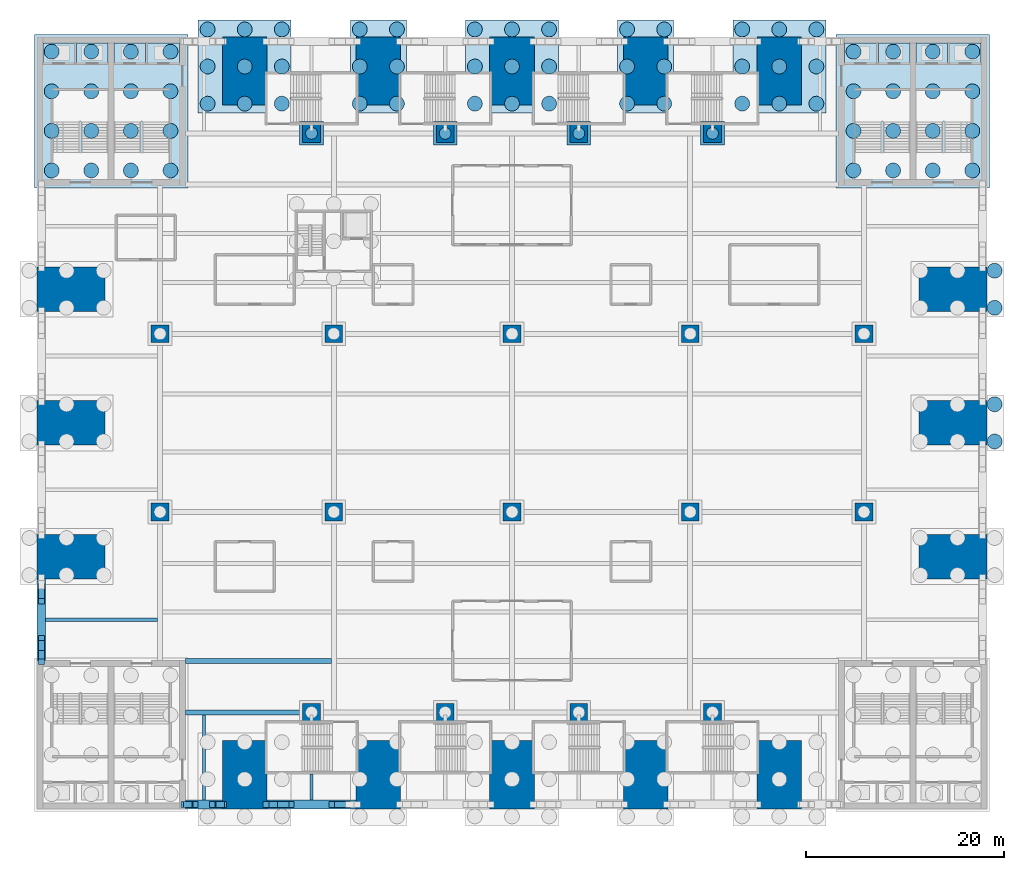
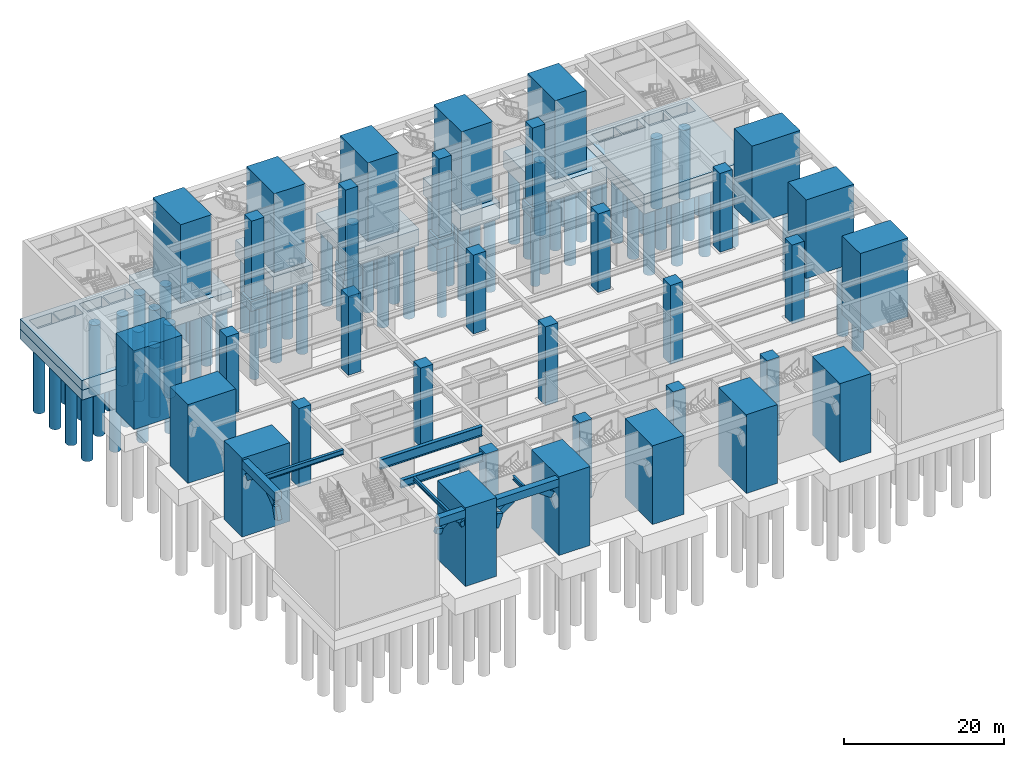
# One storey, part 2 of 34: 79 piles, 34 columns, 13 footings, 10 members, 8 beams.
"""IFC4 building model written with IfcOpenShell, lengths in metres."""

from ifc_helpers import new_model, si_unit, direction, frame, origin, origin_2d, place, context, subcontext, project, spatial, polyline, rectangle, circle, i_section, outline, extrude, material, layer, layer_set, material_profile, profile_set, type_object, element, save


model = new_model("IFC4")

# Units and contexts
model_context = context("Model", 3, precision=1e-05, world=origin(), true_north=direction((0.0, 1.0)))
body_context = subcontext(model_context, "Body", "Model", "MODEL_VIEW")
ifc_project = project(units=[si_unit("LENGTHUNIT", "METRE"), si_unit("AREAUNIT", "SQUARE_METRE"), si_unit("VOLUMEUNIT", "CUBIC_METRE"), si_unit("PLANEANGLEUNIT", "RADIAN"), si_unit("MASSUNIT", "GRAM", prefix="KILO")], contexts=[model_context])

# Site, building, storey
site_placement = place(None, origin())
site = spatial("IfcSite", under=ifc_project, at=site_placement, CompositionType="ELEMENT")
building_placement = place(site_placement, origin())
building = spatial("IfcBuilding", under=site, at=building_placement, Name="Corbelhall Arena Tower", CompositionType="ELEMENT")
storey_placement = place(building_placement, origin())
storey = spatial("IfcBuildingStorey", under=building, at=storey_placement, Name="L00", CompositionType="ELEMENT", Elevation=0.0)

# Piles
ifc_material_1 = material(Name="Concrete C40/50", Category="concrete")
ifc_material_profile_1 = material_profile(ifc_material_1, circle(Radius=0.60009765625, at=origin_2d()))
ifc_profile_set_1 = profile_set([ifc_material_profile_1], Name="Concrete C40/50")
pile_type_1 = type_object("IfcPileType", Name="PO-BORED-PILE-1200", PredefinedType="BORED", material=ifc_profile_set_1)
for number, where, z_axis, x_axis, name in (
    (1, (-20.25, 29.25, -1.35009765625), (0.0, 0.0, -1.0), (1.0, 0.0, 0.0), "CAP-S-20.25+29.25 PILE 1"),
    (2, (-6.75, 29.25, -1.35009765625), (0.0, 0.0, -1.0), (1.0, 0.0, 0.0), "CAP-S-6.75+29.25 PILE 1"),
    (3, (6.75, 29.25, -1.35009765625), (0.0, 0.0, -1.0), (1.0, 0.0, 0.0), "CAP-S+6.75+29.25 PILE 1"),
    (4, (20.25, 29.25, -1.35009765625), (0.0, 0.0, -1.0), (1.0, 0.0, 0.0), "CAP-S+20.25+29.25 PILE 1"),
):
    element("IfcPile", number, at=place(storey_placement, frame(where, z_axis=z_axis, x_axis=x_axis)), inside=storey, type_object=pile_type_1, Name=name, PredefinedType="BORED", context=body_context, shape_type="SweptSolid", body=[
        extrude(circle(Radius=0.60009765625, at=origin_2d()), origin(), (0.0, 0.0, 1.0), 11.25),
    ])
ifc_material_profile_2 = material_profile(ifc_material_1, circle(Radius=0.75, at=origin_2d()))
ifc_profile_set_2 = profile_set([ifc_material_profile_2], Name="Concrete C40/50")
pile_type_2 = type_object("IfcPileType", Name="PO-BORED-PILE-1500", PredefinedType="BORED", material=ifc_profile_set_2)
for number, where, z_axis, x_axis, name in (
    (5, (34.5, 25.5, -2.85009765625), (0.0, 0.0, -1.0), (1.0, 0.0, 0.0), "RAFT-NE PILE 1"),
    (6, (34.5, 29.5, -2.85009765625), (0.0, 0.0, -1.0), (1.0, 0.0, 0.0), "RAFT-NE PILE 2"),
    (7, (34.5, 33.5, -2.85009765625), (0.0, 0.0, -1.0), (1.0, 0.0, 0.0), "RAFT-NE PILE 3"),
    (8, (34.5, 37.5, -2.85009765625), (0.0, 0.0, -1.0), (1.0, 0.0, 0.0), "RAFT-NE PILE 4"),
    (9, (38.5, 25.5, -2.85009765625), (0.0, 0.0, -1.0), (1.0, 0.0, 0.0), "RAFT-NE PILE 5"),
    (10, (38.5, 29.5, -2.85009765625), (0.0, 0.0, -1.0), (1.0, 0.0, 0.0), "RAFT-NE PILE 6"),
    (11, (38.5, 33.5, -2.85009765625), (0.0, 0.0, -1.0), (1.0, 0.0, 0.0), "RAFT-NE PILE 7"),
    (12, (38.5, 37.5, -2.85009765625), (0.0, 0.0, -1.0), (1.0, 0.0, 0.0), "RAFT-NE PILE 8"),
    (13, (42.5, 25.5, -2.85009765625), (0.0, 0.0, -1.0), (1.0, 0.0, 0.0), "RAFT-NE PILE 9"),
    (14, (42.5, 29.5, -2.85009765625), (0.0, 0.0, -1.0), (1.0, 0.0, 0.0), "RAFT-NE PILE 10"),
    (15, (42.5, 33.5, -2.85009765625), (0.0, 0.0, -1.0), (1.0, 0.0, 0.0), "RAFT-NE PILE 11"),
    (16, (42.5, 37.5, -2.85009765625), (0.0, 0.0, -1.0), (1.0, 0.0, 0.0), "RAFT-NE PILE 12"),
    (17, (46.5, 25.5, -2.85009765625), (0.0, 0.0, -1.0), (1.0, 0.0, 0.0), "RAFT-NE PILE 13"),
    (18, (46.5, 29.5, -2.85009765625), (0.0, 0.0, -1.0), (1.0, 0.0, 0.0), "RAFT-NE PILE 14"),
    (19, (46.5, 33.5, -2.85009765625), (0.0, 0.0, -1.0), (1.0, 0.0, 0.0), "RAFT-NE PILE 15"),
    (20, (46.5, 37.5, -2.85009765625), (0.0, 0.0, -1.0), (1.0, 0.0, 0.0), "RAFT-NE PILE 16"),
    (21, (-46.5, 25.5, -2.85009765625), (0.0, 0.0, -1.0), (1.0, 0.0, 0.0), "RAFT-NW PILE 1"),
    (22, (-46.5, 29.5, -2.85009765625), (0.0, 0.0, -1.0), (1.0, 0.0, 0.0), "RAFT-NW PILE 2"),
    (23, (-46.5, 33.5, -2.85009765625), (0.0, 0.0, -1.0), (1.0, 0.0, 0.0), "RAFT-NW PILE 3"),
    (24, (-46.5, 37.5, -2.85009765625), (0.0, 0.0, -1.0), (1.0, 0.0, 0.0), "RAFT-NW PILE 4"),
    (25, (-42.5, 25.5, -2.85009765625), (0.0, 0.0, -1.0), (1.0, 0.0, 0.0), "RAFT-NW PILE 5"),
    (26, (-42.5, 29.5, -2.85009765625), (0.0, 0.0, -1.0), (1.0, 0.0, 0.0), "RAFT-NW PILE 6"),
    (27, (-42.5, 33.5, -2.85009765625), (0.0, 0.0, -1.0), (1.0, 0.0, 0.0), "RAFT-NW PILE 7"),
    (28, (-42.5, 37.5, -2.85009765625), (0.0, 0.0, -1.0), (1.0, 0.0, 0.0), "RAFT-NW PILE 8"),
    (29, (-38.5, 25.5, -2.85009765625), (0.0, 0.0, -1.0), (1.0, 0.0, 0.0), "RAFT-NW PILE 9"),
    (30, (-38.5, 29.5, -2.85009765625), (0.0, 0.0, -1.0), (1.0, 0.0, 0.0), "RAFT-NW PILE 10"),
    (31, (-38.5, 33.5, -2.85009765625), (0.0, 0.0, -1.0), (1.0, 0.0, 0.0), "RAFT-NW PILE 11"),
    (32, (-38.5, 37.5, -2.85009765625), (0.0, 0.0, -1.0), (1.0, 0.0, 0.0), "RAFT-NW PILE 12"),
    (33, (-34.5, 25.5, -2.85009765625), (0.0, 0.0, -1.0), (1.0, 0.0, 0.0), "RAFT-NW PILE 13"),
    (34, (-34.5, 29.5, -2.85009765625), (0.0, 0.0, -1.0), (1.0, 0.0, 0.0), "RAFT-NW PILE 14"),
    (35, (-34.5, 33.5, -2.85009765625), (0.0, 0.0, -1.0), (1.0, 0.0, 0.0), "RAFT-NW PILE 15"),
    (36, (-34.5, 37.5, -2.85009765625), (0.0, 0.0, -1.0), (1.0, 0.0, 0.0), "RAFT-NW PILE 16"),
):
    element("IfcPile", number, at=place(storey_placement, frame(where, z_axis=z_axis, x_axis=x_axis)), inside=storey, type_object=pile_type_2, Name=name, PredefinedType="BORED", context=body_context, shape_type="SweptSolid", body=[
        extrude(circle(Radius=0.75, at=origin_2d()), origin(), (0.0, 0.0, 1.0), 10.64990234375),
    ])
for number, where, z_axis, x_axis, name in (
    (37, (-30.75, 32.25, -2.35009765625), (0.0, 0.0, -1.0), (1.0, 0.0, 0.0), "CAP-N-27.0 PILE 1"),
    (38, (-30.75, 36.0, -2.35009765625), (0.0, 0.0, -1.0), (1.0, 0.0, 0.0), "CAP-N-27.0 PILE 2"),
    (39, (-30.75, 39.75, -2.35009765625), (0.0, 0.0, -1.0), (1.0, 0.0, 0.0), "CAP-N-27.0 PILE 3"),
    (40, (-27.0, 32.25, -2.35009765625), (0.0, 0.0, -1.0), (1.0, 0.0, 0.0), "CAP-N-27.0 PILE 4"),
    (41, (-27.0, 36.0, -2.35009765625), (0.0, 0.0, -1.0), (1.0, 0.0, 0.0), "CAP-N-27.0 PILE 5"),
    (42, (-27.0, 39.75, -2.35009765625), (0.0, 0.0, -1.0), (1.0, 0.0, 0.0), "CAP-N-27.0 PILE 6"),
    (43, (-23.25, 32.25, -2.35009765625), (0.0, 0.0, -1.0), (1.0, 0.0, 0.0), "CAP-N-27.0 PILE 7"),
    (44, (-23.25, 36.0, -2.35009765625), (0.0, 0.0, -1.0), (1.0, 0.0, 0.0), "CAP-N-27.0 PILE 8"),
    (45, (-23.25, 39.75, -2.35009765625), (0.0, 0.0, -1.0), (1.0, 0.0, 0.0), "CAP-N-27.0 PILE 9"),
    (46, (-15.375, 32.25, -2.35009765625), (0.0, 0.0, -1.0), (1.0, 0.0, 0.0), "CAP-N-13.5 PILE 1"),
    (47, (-15.375, 36.0, -2.35009765625), (0.0, 0.0, -1.0), (1.0, 0.0, 0.0), "CAP-N-13.5 PILE 2"),
    (48, (-15.375, 39.75, -2.35009765625), (0.0, 0.0, -1.0), (1.0, 0.0, 0.0), "CAP-N-13.5 PILE 3"),
    (49, (-11.625, 32.25, -2.35009765625), (0.0, 0.0, -1.0), (1.0, 0.0, 0.0), "CAP-N-13.5 PILE 4"),
    (50, (-11.625, 36.0, -2.35009765625), (0.0, 0.0, -1.0), (1.0, 0.0, 0.0), "CAP-N-13.5 PILE 5"),
    (51, (-11.625, 39.75, -2.35009765625), (0.0, 0.0, -1.0), (1.0, 0.0, 0.0), "CAP-N-13.5 PILE 6"),
    (52, (-3.75, 32.25, -2.35009765625), (0.0, 0.0, -1.0), (1.0, 0.0, 0.0), "CAP-N+0.0 PILE 1"),
    (53, (-3.75, 36.0, -2.35009765625), (0.0, 0.0, -1.0), (1.0, 0.0, 0.0), "CAP-N+0.0 PILE 2"),
    (54, (-3.75, 39.75, -2.35009765625), (0.0, 0.0, -1.0), (1.0, 0.0, 0.0), "CAP-N+0.0 PILE 3"),
    (55, (0.0, 32.25, -2.35009765625), (0.0, 0.0, -1.0), (1.0, 0.0, 0.0), "CAP-N+0.0 PILE 4"),
    (56, (0.0, 36.0, -2.35009765625), (0.0, 0.0, -1.0), (1.0, 0.0, 0.0), "CAP-N+0.0 PILE 5"),
    (57, (0.0, 39.75, -2.35009765625), (0.0, 0.0, -1.0), (1.0, 0.0, 0.0), "CAP-N+0.0 PILE 6"),
    (58, (3.75, 32.25, -2.35009765625), (0.0, 0.0, -1.0), (1.0, 0.0, 0.0), "CAP-N+0.0 PILE 7"),
    (59, (3.75, 36.0, -2.35009765625), (0.0, 0.0, -1.0), (1.0, 0.0, 0.0), "CAP-N+0.0 PILE 8"),
    (60, (3.75, 39.75, -2.35009765625), (0.0, 0.0, -1.0), (1.0, 0.0, 0.0), "CAP-N+0.0 PILE 9"),
    (61, (11.625, 32.25, -2.35009765625), (0.0, 0.0, -1.0), (1.0, 0.0, 0.0), "CAP-N+13.5 PILE 1"),
    (62, (11.625, 36.0, -2.35009765625), (0.0, 0.0, -1.0), (1.0, 0.0, 0.0), "CAP-N+13.5 PILE 2"),
    (63, (11.625, 39.75, -2.35009765625), (0.0, 0.0, -1.0), (1.0, 0.0, 0.0), "CAP-N+13.5 PILE 3"),
    (64, (15.375, 32.25, -2.35009765625), (0.0, 0.0, -1.0), (1.0, 0.0, 0.0), "CAP-N+13.5 PILE 4"),
    (65, (15.375, 36.0, -2.35009765625), (0.0, 0.0, -1.0), (1.0, 0.0, 0.0), "CAP-N+13.5 PILE 5"),
    (66, (15.375, 39.75, -2.35009765625), (0.0, 0.0, -1.0), (1.0, 0.0, 0.0), "CAP-N+13.5 PILE 6"),
    (67, (23.25, 32.25, -2.35009765625), (0.0, 0.0, -1.0), (1.0, 0.0, 0.0), "CAP-N+27.0 PILE 1"),
    (68, (23.25, 36.0, -2.35009765625), (0.0, 0.0, -1.0), (1.0, 0.0, 0.0), "CAP-N+27.0 PILE 2"),
    (69, (23.25, 39.75, -2.35009765625), (0.0, 0.0, -1.0), (1.0, 0.0, 0.0), "CAP-N+27.0 PILE 3"),
    (70, (27.0, 32.25, -2.35009765625), (0.0, 0.0, -1.0), (1.0, 0.0, 0.0), "CAP-N+27.0 PILE 4"),
    (71, (27.0, 36.0, -2.35009765625), (0.0, 0.0, -1.0), (1.0, 0.0, 0.0), "CAP-N+27.0 PILE 5"),
    (72, (27.0, 39.75, -2.35009765625), (0.0, 0.0, -1.0), (1.0, 0.0, 0.0), "CAP-N+27.0 PILE 6"),
    (73, (30.75, 32.25, -2.35009765625), (0.0, 0.0, -1.0), (1.0, 0.0, 0.0), "CAP-N+27.0 PILE 7"),
    (74, (30.75, 36.0, -2.35009765625), (0.0, 0.0, -1.0), (1.0, 0.0, 0.0), "CAP-N+27.0 PILE 8"),
    (75, (30.75, 39.75, -2.35009765625), (0.0, 0.0, -1.0), (1.0, 0.0, 0.0), "CAP-N+27.0 PILE 9"),
    (76, (48.75, -1.875, -2.35009765625), (0.0, 0.0, -1.0), (1.0, 0.0, 0.0), "CAP-E+0.0 PILE 5"),
    (77, (48.75, 1.875, -2.35009765625), (0.0, 0.0, -1.0), (1.0, 0.0, 0.0), "CAP-E+0.0 PILE 6"),
    (78, (48.75, 11.625, -2.35009765625), (0.0, 0.0, -1.0), (1.0, 0.0, 0.0), "CAP-E+13.5 PILE 5"),
    (79, (48.75, 15.375, -2.35009765625), (0.0, 0.0, -1.0), (1.0, 0.0, 0.0), "CAP-E+13.5 PILE 6"),
):
    element("IfcPile", number, at=place(storey_placement, frame(where, z_axis=z_axis, x_axis=x_axis)), inside=storey, type_object=pile_type_2, Name=name, PredefinedType="BORED", context=body_context, shape_type="SweptSolid", body=[
        extrude(circle(Radius=0.75, at=origin_2d()), origin(), (0.0, 0.0, 1.0), 11.14990234375),
    ])

# Footings
ifc_layer_1 = layer(ifc_material_1, 2.5)
ifc_layer_set_1 = layer_set([ifc_layer_1], Name="PO-PIER-CAP-6")
footing_type_1 = type_object("IfcFootingType", Name="PO-PIER-CAP-6", PredefinedType="PILE_CAP", material=ifc_layer_set_1)
footing_1_placement = place(storey_placement, frame((0.0, 0.0, -2.5)))
element("IfcFooting", 80, at=footing_1_placement, inside=storey, type_object=footing_type_1, Name="CAP-N-13.5", PredefinedType="PILE_CAP", context=body_context, shape_type="SweptSolid", body=[
    extrude(outline(polyline([(-16.324951171875, 31.300048828125), (-10.675048828125, 31.300048828125), (-10.675048828125, 40.699951171875), (-16.324951171875, 40.699951171875), (-16.324951171875, 31.300048828125)])), origin(), (0.0, 0.0, 1.0), 2.5),
])
footing_2_placement = place(storey_placement, frame((0.0, 0.0, -2.5)))
element("IfcFooting", 81, at=footing_2_placement, inside=storey, type_object=footing_type_1, Name="CAP-N+13.5", PredefinedType="PILE_CAP", context=body_context, shape_type="SweptSolid", body=[
    extrude(outline(polyline([(10.675048828125, 31.300048828125), (16.324951171875, 31.300048828125), (16.324951171875, 40.699951171875), (10.675048828125, 40.699951171875), (10.675048828125, 31.300048828125)])), origin(), (0.0, 0.0, 1.0), 2.5),
])
ifc_layer_2 = layer(ifc_material_1, 2.5)
ifc_layer_set_2 = layer_set([ifc_layer_2], Name="PO-PIER-CAP-9")
footing_type_2 = type_object("IfcFootingType", Name="PO-PIER-CAP-9", PredefinedType="PILE_CAP", material=ifc_layer_set_2)
footing_3_placement = place(storey_placement, frame((0.0, 0.0, -2.5)))
element("IfcFooting", 82, at=footing_3_placement, inside=storey, type_object=footing_type_2, Name="CAP-N-27.0", PredefinedType="PILE_CAP", context=body_context, shape_type="SweptSolid", body=[
    extrude(outline(polyline([(-31.699951171875, 31.300048828125), (-22.300048828125, 31.300048828125), (-22.300048828125, 40.699951171875), (-31.699951171875, 40.699951171875), (-31.699951171875, 31.300048828125)])), origin(), (0.0, 0.0, 1.0), 2.5),
])
footing_4_placement = place(storey_placement, frame((0.0, 0.0, -2.5)))
element("IfcFooting", 83, at=footing_4_placement, inside=storey, type_object=footing_type_2, Name="CAP-N+0.0", PredefinedType="PILE_CAP", context=body_context, shape_type="SweptSolid", body=[
    extrude(outline(polyline([(-4.699951171875, 31.300048828125), (4.699951171875, 31.300048828125), (4.699951171875, 40.699951171875), (-4.699951171875, 40.699951171875), (-4.699951171875, 31.300048828125)])), origin(), (0.0, 0.0, 1.0), 2.5),
])
footing_5_placement = place(storey_placement, frame((0.0, 0.0, -2.5)))
element("IfcFooting", 84, at=footing_5_placement, inside=storey, type_object=footing_type_2, Name="CAP-N+27.0", PredefinedType="PILE_CAP", context=body_context, shape_type="SweptSolid", body=[
    extrude(outline(polyline([(22.300048828125, 31.300048828125), (31.699951171875, 31.300048828125), (31.699951171875, 40.699951171875), (22.300048828125, 40.699951171875), (22.300048828125, 31.300048828125)])), origin(), (0.0, 0.0, 1.0), 2.5),
])
ifc_layer_3 = layer(ifc_material_1, 3.0)
ifc_layer_set_3 = layer_set([ifc_layer_3], Name="PO-RAFT")
footing_type_3 = type_object("IfcFootingType", Name="PO-RAFT", PredefinedType="PAD_FOOTING", material=ifc_layer_set_3)
footing_6_placement = place(storey_placement, frame((0.0, 0.0, -3.0)))
element("IfcFooting", 85, at=footing_6_placement, inside=storey, type_object=footing_type_3, Name="RAFT-NE LOWER", PredefinedType="PAD_FOOTING", context=body_context, shape_type="SweptSolid", body=[
    extrude(outline(polyline([(32.75, 23.75), (48.25, 23.75), (48.25, 39.25), (32.75, 39.25), (32.75, 23.75)])), origin(), (0.0, 0.0, 1.0), 1.5),
])
footing_7_placement = place(storey_placement, frame((0.0, 0.0, -1.5)))
element("IfcFooting", 86, at=footing_7_placement, inside=storey, type_object=footing_type_3, Name="RAFT-NE UPPER", PredefinedType="PAD_FOOTING", context=body_context, shape_type="SweptSolid", body=[
    extrude(outline(polyline([(32.75, 23.75), (48.25, 23.75), (48.25, 39.25), (32.75, 39.25), (32.75, 23.75)]), holes=[polyline([(33.60009765625, 36.300048828125), (36.800048828125, 36.300048828125), (36.800048828125, 38.39990234375), (33.60009765625, 38.39990234375), (33.60009765625, 36.300048828125)]), polyline([(37.0, 36.300048828125), (40.199951171875, 36.300048828125), (40.199951171875, 38.39990234375), (37.0, 38.39990234375), (37.0, 36.300048828125)]), polyline([(40.800048828125, 36.300048828125), (44.0, 36.300048828125), (44.0, 38.39990234375), (40.800048828125, 38.39990234375), (40.800048828125, 36.300048828125)]), polyline([(44.199951171875, 36.300048828125), (47.39990234375, 36.300048828125), (47.39990234375, 38.39990234375), (44.199951171875, 38.39990234375), (44.199951171875, 36.300048828125)])]), origin(), (0.0, 0.0, 1.0), 1.5),
])
footing_8_placement = place(storey_placement, frame((0.0, 0.0, -3.0)))
element("IfcFooting", 87, at=footing_8_placement, inside=storey, type_object=footing_type_3, Name="RAFT-NW LOWER", PredefinedType="PAD_FOOTING", context=body_context, shape_type="SweptSolid", body=[
    extrude(outline(polyline([(-48.25, 23.75), (-32.75, 23.75), (-32.75, 39.25), (-48.25, 39.25), (-48.25, 23.75)])), origin(), (0.0, 0.0, 1.0), 1.5),
])
footing_9_placement = place(storey_placement, frame((0.0, 0.0, -1.5)))
element("IfcFooting", 88, at=footing_9_placement, inside=storey, type_object=footing_type_3, Name="RAFT-NW UPPER", PredefinedType="PAD_FOOTING", context=body_context, shape_type="SweptSolid", body=[
    extrude(outline(polyline([(-48.25, 23.75), (-32.75, 23.75), (-32.75, 39.25), (-48.25, 39.25), (-48.25, 23.75)]), holes=[polyline([(-40.199951171875, 36.300048828125), (-37.0, 36.300048828125), (-37.0, 38.39990234375), (-40.199951171875, 38.39990234375), (-40.199951171875, 36.300048828125)]), polyline([(-36.800048828125, 36.300048828125), (-33.60009765625, 36.300048828125), (-33.60009765625, 38.39990234375), (-36.800048828125, 38.39990234375), (-36.800048828125, 36.300048828125)]), polyline([(-47.39990234375, 36.300048828125), (-44.199951171875, 36.300048828125), (-44.199951171875, 38.39990234375), (-47.39990234375, 38.39990234375), (-47.39990234375, 36.300048828125)]), polyline([(-44.0, 36.300048828125), (-40.800048828125, 36.300048828125), (-40.800048828125, 38.39990234375), (-44.0, 38.39990234375), (-44.0, 36.300048828125)])]), origin(), (0.0, 0.0, 1.0), 1.5),
])
ifc_layer_4 = layer(ifc_material_1, 1.5)
ifc_layer_set_4 = layer_set([ifc_layer_4], Name="PO-STILT-CAP")
footing_type_4 = type_object("IfcFootingType", Name="PO-STILT-CAP", PredefinedType="PILE_CAP", material=ifc_layer_set_4)
footing_10_placement = place(storey_placement, frame((0.0, 0.0, -1.5)))
element("IfcFooting", 89, at=footing_10_placement, inside=storey, type_object=footing_type_4, Name="CAP-S-20.25+29.25", PredefinedType="PILE_CAP", context=body_context, shape_type="SweptSolid", body=[
    extrude(outline(polyline([(-21.449951171875, 28.050048828125), (-19.050048828125, 28.050048828125), (-19.050048828125, 30.449951171875), (-21.449951171875, 30.449951171875), (-21.449951171875, 28.050048828125)])), origin(), (0.0, 0.0, 1.0), 1.5),
])
footing_11_placement = place(storey_placement, frame((0.0, 0.0, -1.5)))
element("IfcFooting", 90, at=footing_11_placement, inside=storey, type_object=footing_type_4, Name="CAP-S-6.75+29.25", PredefinedType="PILE_CAP", context=body_context, shape_type="SweptSolid", body=[
    extrude(outline(polyline([(-7.949951171875, 28.050048828125), (-5.550048828125, 28.050048828125), (-5.550048828125, 30.449951171875), (-7.949951171875, 30.449951171875), (-7.949951171875, 28.050048828125)])), origin(), (0.0, 0.0, 1.0), 1.5),
])
footing_12_placement = place(storey_placement, frame((0.0, 0.0, -1.5)))
element("IfcFooting", 91, at=footing_12_placement, inside=storey, type_object=footing_type_4, Name="CAP-S+6.75+29.25", PredefinedType="PILE_CAP", context=body_context, shape_type="SweptSolid", body=[
    extrude(outline(polyline([(5.550048828125, 28.050048828125), (7.949951171875, 28.050048828125), (7.949951171875, 30.449951171875), (5.550048828125, 30.449951171875), (5.550048828125, 28.050048828125)])), origin(), (0.0, 0.0, 1.0), 1.5),
])
footing_13_placement = place(storey_placement, frame((0.0, 0.0, -1.5)))
element("IfcFooting", 92, at=footing_13_placement, inside=storey, type_object=footing_type_4, Name="CAP-S+20.25+29.25", PredefinedType="PILE_CAP", context=body_context, shape_type="SweptSolid", body=[
    extrude(outline(polyline([(19.050048828125, 28.050048828125), (21.449951171875, 28.050048828125), (21.449951171875, 30.449951171875), (19.050048828125, 30.449951171875), (19.050048828125, 28.050048828125)])), origin(), (0.0, 0.0, 1.0), 1.5),
])

# Columns
ifc_material_2 = material(Name="Concrete C80/95", Category="concrete")
ifc_material_profile_3 = material_profile(ifc_material_2, rectangle(XDim=4.5, YDim=6.89990234375, at=origin_2d()))
ifc_profile_set_3 = profile_set([ifc_material_profile_3], Name="Concrete C80/95")
column_type_1 = type_object("IfcColumnType", Name="PO-PIER-L00", PredefinedType="COLUMN", material=ifc_profile_set_3)
for number, where, z_axis, x_axis, name in (
    (93, (-27.0, 35.550048828125, 0.0), (0.0, 0.0, 1.0), (1.0, 0.0, 0.0), "PIER N-27.0 L00"),
    (94, (-27.0, -35.550048828125, 0.0), (0.0, 0.0, 1.0), (1.0, 0.0, 0.0), "PIER S-27.0 L00"),
    (95, (-13.5, 35.550048828125, 0.0), (0.0, 0.0, 1.0), (1.0, 0.0, 0.0), "PIER N-13.5 L00"),
    (96, (-13.5, -35.550048828125, 0.0), (0.0, 0.0, 1.0), (1.0, 0.0, 0.0), "PIER S-13.5 L00"),
    (97, (0.0, 35.550048828125, 0.0), (0.0, 0.0, 1.0), (1.0, 0.0, 0.0), "PIER N+0.0 L00"),
    (98, (0.0, -35.550048828125, 0.0), (0.0, 0.0, 1.0), (1.0, 0.0, 0.0), "PIER S+0.0 L00"),
    (99, (13.5, 35.550048828125, 0.0), (0.0, 0.0, 1.0), (1.0, 0.0, 0.0), "PIER N+13.5 L00"),
    (100, (13.5, -35.550048828125, 0.0), (0.0, 0.0, 1.0), (1.0, 0.0, 0.0), "PIER S+13.5 L00"),
    (101, (27.0, 35.550048828125, 0.0), (0.0, 0.0, 1.0), (1.0, 0.0, 0.0), "PIER N+27.0 L00"),
    (102, (27.0, -35.550048828125, 0.0), (0.0, 0.0, 1.0), (1.0, 0.0, 0.0), "PIER S+27.0 L00"),
    (103, (44.550048828125, -13.5, 0.0), (0.0, 0.0, 1.0), (0.0, 1.0, 0.0), "PIER E-13.5 L00"),
    (104, (-44.550048828125, -13.5, 0.0), (0.0, 0.0, 1.0), (0.0, 1.0, 0.0), "PIER W-13.5 L00"),
    (105, (44.550048828125, 0.0, 0.0), (0.0, 0.0, 1.0), (0.0, 1.0, 0.0), "PIER E+0.0 L00"),
    (106, (-44.550048828125, 0.0, 0.0), (0.0, 0.0, 1.0), (0.0, 1.0, 0.0), "PIER W+0.0 L00"),
    (107, (44.550048828125, 13.5, 0.0), (0.0, 0.0, 1.0), (0.0, 1.0, 0.0), "PIER E+13.5 L00"),
    (108, (-44.550048828125, 13.5, 0.0), (0.0, 0.0, 1.0), (0.0, 1.0, 0.0), "PIER W+13.5 L00"),
):
    element("IfcColumn", number, at=place(storey_placement, frame(where, z_axis=z_axis, x_axis=x_axis)), inside=storey, type_object=column_type_1, Name=name, PredefinedType="COLUMN", context=body_context, shape_type="SweptSolid", body=[
        extrude(rectangle(XDim=4.5, YDim=6.89990234375, at=origin_2d()), origin(), (0.0, 0.0, 1.0), 12.0),
    ])
ifc_material_profile_4 = material_profile(ifc_material_2, rectangle(XDim=1.800048828125, YDim=1.800048828125, at=origin_2d()))
ifc_profile_set_4 = profile_set([ifc_material_profile_4], Name="Concrete C80/95")
column_type_2 = type_object("IfcColumnType", Name="PO-STILT-1800", PredefinedType="COLUMN", material=ifc_profile_set_4)
for number, where, z_axis, x_axis, name in (
    (109, (-35.550048828125, -9.0, 0.0), (0.0, 0.0, 1.0), (1.0, 0.0, 0.0), "STILT -35.55 -9"),
    (110, (-35.550048828125, 9.0, 0.0), (0.0, 0.0, 1.0), (1.0, 0.0, 0.0), "STILT -35.55 +9"),
    (111, (-18.0, -9.0, 0.0), (0.0, 0.0, 1.0), (1.0, 0.0, 0.0), "STILT -18.00 -9"),
    (112, (-18.0, 9.0, 0.0), (0.0, 0.0, 1.0), (1.0, 0.0, 0.0), "STILT -18.00 +9"),
    (113, (0.0, -9.0, 0.0), (0.0, 0.0, 1.0), (1.0, 0.0, 0.0), "STILT +0.00 -9"),
    (114, (0.0, 9.0, 0.0), (0.0, 0.0, 1.0), (1.0, 0.0, 0.0), "STILT +0.00 +9"),
    (115, (18.0, -9.0, 0.0), (0.0, 0.0, 1.0), (1.0, 0.0, 0.0), "STILT +18.00 -9"),
    (116, (18.0, 9.0, 0.0), (0.0, 0.0, 1.0), (1.0, 0.0, 0.0), "STILT +18.00 +9"),
    (117, (35.550048828125, -9.0, 0.0), (0.0, 0.0, 1.0), (1.0, 0.0, 0.0), "STILT +35.55 -9"),
    (118, (35.550048828125, 9.0, 0.0), (0.0, 0.0, 1.0), (1.0, 0.0, 0.0), "STILT +35.55 +9"),
    (119, (-20.25, 29.25, 0.0), (0.0, 0.0, 1.0), (1.0, 0.0, 0.0), "RING COLUMN -20.25 +29.25 L00"),
    (120, (-20.25, -29.25, 0.0), (0.0, 0.0, 1.0), (1.0, 0.0, 0.0), "RING COLUMN -20.25 -29.25 L00"),
    (121, (-6.75, 29.25, 0.0), (0.0, 0.0, 1.0), (1.0, 0.0, 0.0), "RING COLUMN -6.75 +29.25 L00"),
    (122, (-6.75, -29.25, 0.0), (0.0, 0.0, 1.0), (1.0, 0.0, 0.0), "RING COLUMN -6.75 -29.25 L00"),
    (123, (6.75, 29.25, 0.0), (0.0, 0.0, 1.0), (1.0, 0.0, 0.0), "RING COLUMN +6.75 +29.25 L00"),
    (124, (6.75, -29.25, 0.0), (0.0, 0.0, 1.0), (1.0, 0.0, 0.0), "RING COLUMN +6.75 -29.25 L00"),
    (125, (20.25, 29.25, 0.0), (0.0, 0.0, 1.0), (1.0, 0.0, 0.0), "RING COLUMN +20.25 +29.25 L00"),
    (126, (20.25, -29.25, 0.0), (0.0, 0.0, 1.0), (1.0, 0.0, 0.0), "RING COLUMN +20.25 -29.25 L00"),
):
    element("IfcColumn", number, at=place(storey_placement, frame(where, z_axis=z_axis, x_axis=x_axis)), inside=storey, type_object=column_type_2, Name=name, PredefinedType="COLUMN", context=body_context, shape_type="SweptSolid", body=[
        extrude(rectangle(XDim=1.800048828125, YDim=1.800048828125, at=origin_2d()), origin(), (0.0, 0.0, 1.0), 12.0),
    ])

# Beam
ifc_material_3 = material(Name="Steel ASTM A572 Gr50", Category="steel")
ifc_material_profile_5 = material_profile(ifc_material_3, i_section(OverallWidth=0.5, OverallDepth=1.5, WebThickness=0.028076171875, FlangeThickness=0.050048828125, at=origin_2d()))
ifc_profile_set_5 = profile_set([ifc_material_profile_5], Name="Steel ASTM A572 Gr50")
beam_type_1 = type_object("IfcBeamType", Name="AR-TRANSFER-GIRDER", PredefinedType="BEAM", material=ifc_profile_set_5)
beam_1_placement = place(storey_placement, frame((-33.0, -24.0625, 10.949951171875), z_axis=(1.0, 0.0, 0.0), x_axis=(0.0, 1.0, 0.0)))
element("IfcBeam", 127, at=beam_1_placement, inside=storey, type_object=beam_type_1, Name="DECK BEAM", PredefinedType="BEAM", context=body_context, shape_type="SweptSolid", body=[
    extrude(i_section(OverallWidth=0.5, OverallDepth=1.5, WebThickness=0.028076171875, FlangeThickness=0.050048828125, at=origin_2d()), origin(), (0.0, 0.0, 1.0), 14.75),
])

# Members
ifc_material_profile_6 = material_profile(ifc_material_2, rectangle(XDim=0.60009765625, YDim=0.89990234375, at=origin_2d()))
ifc_profile_set_6 = profile_set([ifc_material_profile_6], Name="Concrete C80/95")
member_type = type_object("IfcMemberType", Name="PO-ARCH-RIB", PredefinedType="MEMBER", material=ifc_profile_set_6)
member_1_placement = place(storey_placement, frame((-33.0, -38.550048828125, 9.2451171875), z_axis=(0.313142843289, 0.0, 0.94970603857), x_axis=(0.0, 1.0, 0.0)))
element("IfcMember", 128, at=member_1_placement, inside=storey, type_object=member_type, Name="ARCH S1 RIB A1", PredefinedType="MEMBER", context=body_context, shape_type="SweptSolid", body=[
    extrude(rectangle(XDim=0.60009765625, YDim=0.89990234375, at=origin_2d()), origin(), (0.0, 0.0, 1.0), 0.76025390625),
])
member_2_placement = place(storey_placement, frame((-32.59423828125, -38.550048828125, 10.193603515625), z_axis=(0.816629669741, 0.0, 0.577162007152), x_axis=(0.0, 1.0, 0.0)))
element("IfcMember", 129, at=member_2_placement, inside=storey, type_object=member_type, Name="ARCH S1 RIB A2", PredefinedType="MEMBER", context=body_context, shape_type="SweptSolid", body=[
    extrude(rectangle(XDim=0.60009765625, YDim=0.89990234375, at=origin_2d()), origin(), (0.0, 0.0, 1.0), 0.760498046875),
])
member_3_placement = place(storey_placement, frame((-29.488037109375, -38.550048828125, 9.967041015625), z_axis=(0.313142843289, 0.0, -0.94970603857), x_axis=(0.0, 1.0, 0.0)))
element("IfcMember", 130, at=member_3_placement, inside=storey, type_object=member_type, Name="ARCH S1 RIB B1", PredefinedType="MEMBER", context=body_context, shape_type="SweptSolid", body=[
    extrude(rectangle(XDim=0.60009765625, YDim=0.89990234375, at=origin_2d()), origin(), (0.0, 0.0, 1.0), 0.76025390625),
])
member_4_placement = place(storey_placement, frame((-30.27685546875, -38.550048828125, 10.632568359375), z_axis=(0.816629669741, 0.0, -0.577162007152), x_axis=(0.0, 1.0, 0.0)))
element("IfcMember", 131, at=member_4_placement, inside=storey, type_object=member_type, Name="ARCH S1 RIB B2", PredefinedType="MEMBER", context=body_context, shape_type="SweptSolid", body=[
    extrude(rectangle(XDim=0.60009765625, YDim=0.89990234375, at=origin_2d()), origin(), (0.0, 0.0, 1.0), 0.760498046875),
])
for number, where, z_axis, x_axis, name in (
    (132, (-24.75, -38.550048828125, 7.302490234375), (0.313127236353, 0.0, 0.949711184442), (0.0, 1.0, 0.0), "ARCH S2 RIB A1"),
    (133, (-23.94580078125, -38.550048828125, 9.45947265625), (0.816644846193, 0.0, 0.577140533307), (0.0, 1.0, 0.0), "ARCH S2 RIB A2"),
    (134, (-18.214111328125, -38.550048828125, 10.632568359375), (0.816644846193, 0.0, -0.577140533307), (0.0, 1.0, 0.0), "ARCH S2 RIB B2"),
):
    element("IfcMember", number, at=place(storey_placement, frame(where, z_axis=z_axis, x_axis=x_axis)), inside=storey, type_object=member_type, Name=name, PredefinedType="MEMBER", context=body_context, shape_type="SweptSolid", body=[
        extrude(rectangle(XDim=0.60009765625, YDim=0.89990234375, at=origin_2d()), origin(), (0.0, 0.0, 1.0), 2.03271484375),
    ])
member_5_placement = place(storey_placement, frame((-47.550048828125, -24.0, 7.580078125), z_axis=(0.0, 0.313178775789, 0.949694189935), x_axis=(-1.0, 0.0, 0.0)))
element("IfcMember", 135, at=member_5_placement, inside=storey, type_object=member_type, Name="ARCH W1 RIB A1", PredefinedType="MEMBER", context=body_context, shape_type="SweptSolid", body=[
    extrude(rectangle(XDim=0.60009765625, YDim=0.89990234375, at=origin_2d()), origin(), (0.0, 0.0, 1.0), 1.8505859375),
])
for number, where, z_axis, x_axis, name in (
    (136, (-47.550048828125, -23.252685546875, 9.564453125), (0.0, 0.81666432318, 0.577112972688), (-1.0, 0.0, 0.0), "ARCH W1 RIB A2"),
    (137, (-47.550048828125, -18.0087890625, 10.632568359375), (0.0, 0.81666432318, -0.577112972688), (-1.0, 0.0, 0.0), "ARCH W1 RIB B2"),
):
    element("IfcMember", number, at=place(storey_placement, frame(where, z_axis=z_axis, x_axis=x_axis)), inside=storey, type_object=member_type, Name=name, PredefinedType="MEMBER", context=body_context, shape_type="SweptSolid", body=[
        extrude(rectangle(XDim=0.60009765625, YDim=0.89990234375, at=origin_2d()), origin(), (0.0, 0.0, 1.0), 1.850830078125),
    ])

# Beams
ifc_material_4 = material(Name="Steel ASTM A992 Gr50", Category="steel")
ifc_material_profile_7 = material_profile(ifc_material_4, i_section(OverallWidth=0.323974609375, OverallDepth=0.611083984375, WebThickness=0.0126953125, FlangeThickness=0.01904296875, at=origin_2d()))
ifc_profile_set_7 = profile_set([ifc_material_profile_7], Name="Steel ASTM A992 Gr50")
beam_type_2 = type_object("IfcBeamType", Name="PO-BEAM-W24X104", PredefinedType="BEAM", material=ifc_profile_set_7)
beam_2_placement = place(storey_placement, frame((-31.125, -29.5, 11.39453125), z_axis=(0.0, -1.0, 0.0), x_axis=(1.0, 0.0, 0.0)))
element("IfcBeam", 138, at=beam_2_placement, inside=storey, type_object=beam_type_2, Name="DECK EDGE BEAM", PredefinedType="BEAM", context=body_context, shape_type="SweptSolid", body=[
    extrude(i_section(OverallWidth=0.323974609375, OverallDepth=0.611083984375, WebThickness=0.0126953125, FlangeThickness=0.01904296875, at=origin_2d()), origin(), (0.0, 0.0, 1.0), 8.60009765625),
])
beam_3_placement = place(storey_placement, frame((-20.25, -35.449951171875, 11.39453125), z_axis=(0.0, -1.0, 0.0), x_axis=(1.0, 0.0, 0.0)))
element("IfcBeam", 139, at=beam_3_placement, inside=storey, type_object=beam_type_2, Name="DECK EDGE BEAM", PredefinedType="BEAM", context=body_context, shape_type="SweptSolid", body=[
    extrude(i_section(OverallWidth=0.323974609375, OverallDepth=0.611083984375, WebThickness=0.0126953125, FlangeThickness=0.01904296875, at=origin_2d()), origin(), (0.0, 0.0, 1.0), 2.650146484375),
])
ifc_material_profile_8 = material_profile(ifc_material_4, i_section(OverallWidth=0.381103515625, OverallDepth=0.77294921875, WebThickness=0.0166015625, FlangeThickness=0.027099609375, at=origin_2d()))
ifc_profile_set_8 = profile_set([ifc_material_profile_8], Name="Steel ASTM A992 Gr50")
beam_type_3 = type_object("IfcBeamType", Name="PO-BEAM-W30X173", PredefinedType="BEAM", material=ifc_profile_set_8)
beam_4_placement = place(storey_placement, frame((-35.800048828125, -19.875, 11.3134765625), z_axis=(-1.0, 0.0, 0.0), x_axis=(0.0, -1.0, 0.0)))
element("IfcBeam", 140, at=beam_4_placement, inside=storey, type_object=beam_type_3, Name="DECK EDGE BEAM", PredefinedType="BEAM", context=body_context, shape_type="SweptSolid", body=[
    extrude(i_section(OverallWidth=0.381103515625, OverallDepth=0.77294921875, WebThickness=0.0166015625, FlangeThickness=0.027099609375, at=origin_2d()), origin(), (0.0, 0.0, 1.0), 11.300048828125),
])
ifc_material_profile_9 = material_profile(ifc_material_3, i_section(OverallWidth=0.5, OverallDepth=1.199951171875, WebThickness=0.02490234375, FlangeThickness=0.044921875, at=origin_2d()))
ifc_profile_set_9 = profile_set([ifc_material_profile_9], Name="Steel ASTM A572 Gr50")
beam_type_4 = type_object("IfcBeamType", Name="PO-GIRDER-PG1200X500X25X45", PredefinedType="BEAM", material=ifc_profile_set_9)
beam_5_placement = place(storey_placement, frame((-33.0, -29.25, 11.10009765625), z_axis=(1.0, 0.0, 0.0), x_axis=(0.0, 1.0, 0.0)))
element("IfcBeam", 141, at=beam_5_placement, inside=storey, type_object=beam_type_4, Name="DECK GIRDER X", PredefinedType="BEAM", context=body_context, shape_type="SweptSolid", body=[
    extrude(i_section(OverallWidth=0.5, OverallDepth=1.199951171875, WebThickness=0.02490234375, FlangeThickness=0.044921875, at=origin_2d()), origin(), (0.0, 0.0, 1.0), 11.85009765625),
])
ifc_material_profile_10 = material_profile(ifc_material_2, rectangle(XDim=0.89990234375, YDim=1.199951171875, at=origin_2d()))
ifc_profile_set_10 = profile_set([ifc_material_profile_10], Name="Concrete C80/95")
beam_type_5 = type_object("IfcBeamType", Name="PO-RING-BEAM", PredefinedType="BEAM", material=ifc_profile_set_10)
beam_6_placement = place(storey_placement, frame((-33.0, -38.550048828125, 11.10009765625), z_axis=(1.0, 0.0, 0.0), x_axis=(0.0, 1.0, 0.0)))
element("IfcBeam", 142, at=beam_6_placement, inside=storey, type_object=beam_type_5, Name="RING GIRDER L01 S1", PredefinedType="BEAM", context=body_context, shape_type="SweptSolid", body=[
    extrude(rectangle(XDim=0.89990234375, YDim=1.199951171875, at=origin_2d()), origin(), (0.0, 0.0, 1.0), 3.75),
])
beam_7_placement = place(storey_placement, frame((-24.75, -38.550048828125, 11.10009765625), z_axis=(1.0, 0.0, 0.0), x_axis=(0.0, 1.0, 0.0)))
element("IfcBeam", 143, at=beam_7_placement, inside=storey, type_object=beam_type_5, Name="RING GIRDER L01 S2", PredefinedType="BEAM", context=body_context, shape_type="SweptSolid", body=[
    extrude(rectangle(XDim=0.89990234375, YDim=1.199951171875, at=origin_2d()), origin(), (0.0, 0.0, 1.0), 9.0),
])
beam_8_placement = place(storey_placement, frame((-47.550048828125, -24.0, 11.10009765625), z_axis=(0.0, 1.0, 0.0), x_axis=(-1.0, 0.0, 0.0)))
element("IfcBeam", 144, at=beam_8_placement, inside=storey, type_object=beam_type_5, Name="RING GIRDER L01 W1", PredefinedType="BEAM", context=body_context, shape_type="SweptSolid", body=[
    extrude(rectangle(XDim=0.89990234375, YDim=1.199951171875, at=origin_2d()), origin(), (0.0, 0.0, 1.0), 8.25),
])

save(model, "model.ifc")
